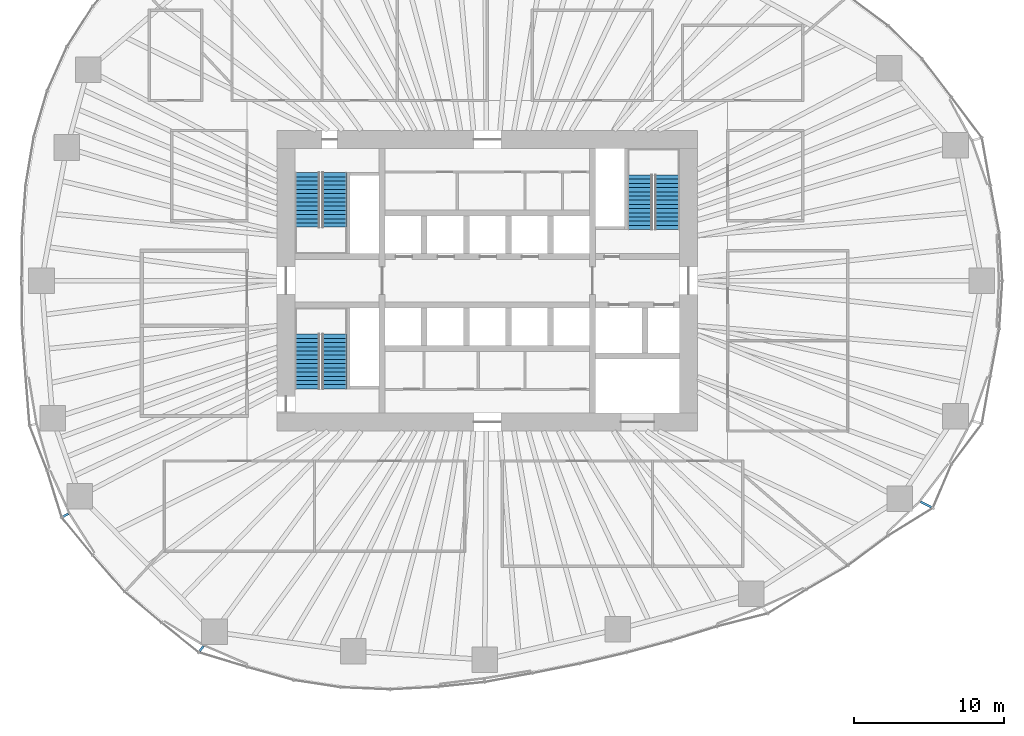
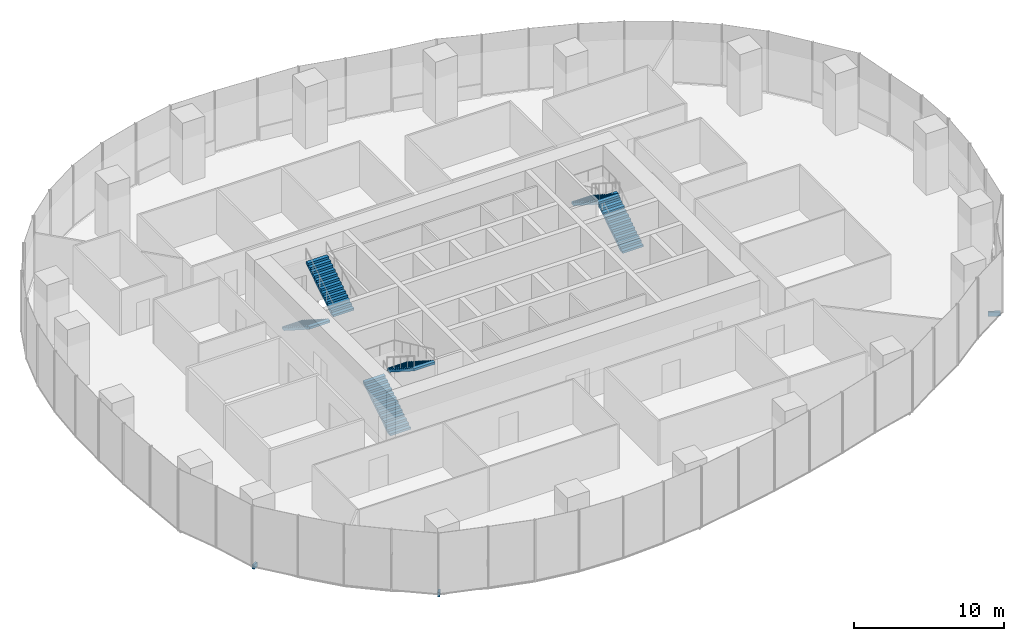
# One storey, part 12 of 20: 6 stair flights, 3 discrete accessories, 3 elements without a shape of their own.
"""IFC4 building model written with IfcOpenShell, lengths in metres."""

from ifc_helpers import new_model, si_unit, direction, frame, origin, origin_2d, place, context, subcontext, project, spatial, polyline, rectangle, outline, extrude, material, type_object, element, aggregate, save


model = new_model("IFC4")

# Units and contexts
model_context = context("Model", 3, precision=1e-05, world=origin(), true_north=direction((0.0, 1.0)))
body_context = subcontext(model_context, "Body", "Model", "MODEL_VIEW")
ifc_project = project(units=[si_unit("LENGTHUNIT", "METRE"), si_unit("AREAUNIT", "SQUARE_METRE"), si_unit("VOLUMEUNIT", "CUBIC_METRE"), si_unit("PLANEANGLEUNIT", "RADIAN"), si_unit("MASSUNIT", "GRAM", prefix="KILO")], contexts=[model_context])

# Site, building, storey
site_placement = place(None, origin())
site = spatial("IfcSite", under=ifc_project, at=site_placement, CompositionType="ELEMENT")
building_placement = place(site_placement, origin())
building = spatial("IfcBuilding", under=site, at=building_placement, Name="Ghaith Harvest Tower", CompositionType="ELEMENT")
storey_placement = place(building_placement, frame((0.0, 0.0, 80.0)))
storey = spatial("IfcBuildingStorey", under=building, at=storey_placement, Name="L16", CompositionType="ELEMENT", Elevation=80.0)

# Stair, stair flights
ifc_material_1 = material(Name="Concrete C40/50, precast", Category="concrete")
stair_type = type_object("IfcStairType", Name="CORE STAIR 28R", PredefinedType="HALF_TURN_STAIR", material=ifc_material_1)
stair_1_placement = place(storey_placement, origin())
stair_1 = element("IfcStair", 1, at=stair_1_placement, inside=storey, type_object=stair_type, Name="Stair ST1 L16", PredefinedType="HALF_TURN_STAIR")
ifc_material_2 = material(Name="Concrete C40/50, precast", Category="concrete")
stair_flight_type = type_object("IfcStairFlightType", Name="CORE FLIGHT 14R 1600", PredefinedType="STRAIGHT", material=ifc_material_2)
stair_flight_1_placement = place(storey_placement, frame((-12.0, 7.199951171875, 0.0), z_axis=(0.0, 0.0, 1.0), x_axis=(0.0, -1.0, 0.0)))
stair_flight_1 = element("IfcStairFlight", 2, at=stair_flight_1_placement, type_object=stair_flight_type, Name="ST1 flight 1", NumberOfRisers=14, NumberOfTreads=13, PredefinedType="STRAIGHT", RiserHeight=0.178571429, TreadLength=0.28, context=body_context, shape_type="SweptSolid", body=[
    extrude(outline(polyline([(0.0, 0.0), (0.0, 0.178466796875), (0.280029296875, 0.178466796875), (0.280029296875, 0.357177734375), (0.56005859375, 0.357177734375), (0.56005859375, 0.53564453125), (0.840087890625, 0.53564453125), (0.840087890625, 0.71435546875), (1.1201171875, 0.71435546875), (1.1201171875, 0.892822265625), (1.39990234375, 0.892822265625), (1.39990234375, 1.071533203125), (1.679931640625, 1.071533203125), (1.679931640625, 1.25), (1.9599609375, 1.25), (1.9599609375, 1.428466796875), (2.239990234375, 1.428466796875), (2.239990234375, 1.607177734375), (2.52001953125, 1.607177734375), (2.52001953125, 1.78564453125), (2.800048828125, 1.78564453125), (2.800048828125, 1.96435546875), (3.080078125, 1.96435546875), (3.080078125, 2.142822265625), (3.360107421875, 2.142822265625), (3.360107421875, 2.321533203125), (3.639892578125, 2.321533203125), (3.639892578125, 2.5), (3.639892578125, 2.1435546875), (0.27880859375, 0.0), (0.0, 0.0)])), frame((0.0, 0.800048828125, 0.0), z_axis=(0.0, -1.0, 0.0), x_axis=(1.0, 0.0, 0.0)), (0.0, 0.0, 1.0), 1.60009765625),
])
stair_flight_2_placement = place(storey_placement, frame((-10.14990234375, 3.56005859375, 2.5), z_axis=(0.0, 0.0, 1.0), x_axis=(0.0, 1.0, 0.0)))
stair_flight_2 = element("IfcStairFlight", 3, at=stair_flight_2_placement, type_object=stair_flight_type, Name="ST1 flight 2", NumberOfRisers=14, NumberOfTreads=13, PredefinedType="STRAIGHT", RiserHeight=0.178571429, TreadLength=0.28, context=body_context, shape_type="SweptSolid", body=[
    extrude(outline(polyline([(0.0, 0.0), (0.0, 0.178466796875), (0.280029296875, 0.178466796875), (0.280029296875, 0.357177734375), (0.56005859375, 0.357177734375), (0.56005859375, 0.53564453125), (0.840087890625, 0.53564453125), (0.840087890625, 0.71435546875), (1.1201171875, 0.71435546875), (1.1201171875, 0.892822265625), (1.39990234375, 0.892822265625), (1.39990234375, 1.071533203125), (1.679931640625, 1.071533203125), (1.679931640625, 1.25), (1.9599609375, 1.25), (1.9599609375, 1.428466796875), (2.239990234375, 1.428466796875), (2.239990234375, 1.607177734375), (2.52001953125, 1.607177734375), (2.52001953125, 1.78564453125), (2.800048828125, 1.78564453125), (2.800048828125, 1.96435546875), (3.080078125, 1.96435546875), (3.080078125, 2.142822265625), (3.360107421875, 2.142822265625), (3.360107421875, 2.321533203125), (3.639892578125, 2.321533203125), (3.639892578125, 2.5), (3.639892578125, 2.1435546875), (0.27880859375, 0.0), (0.0, 0.0)])), frame((0.0, 0.800048828125, 0.0), z_axis=(0.0, -1.0, 0.0), x_axis=(1.0, 0.0, 0.0)), (0.0, 0.0, 1.0), 1.60009765625),
])
aggregate(stair_1, [stair_flight_1, stair_flight_2])

stair_2_placement = place(storey_placement, origin())
stair_2 = element("IfcStair", 4, at=stair_2_placement, inside=storey, type_object=stair_type, Name="Stair ST3 L16", PredefinedType="HALF_TURN_STAIR")
stair_flight_3_placement = place(storey_placement, frame((-12.0, -7.199951171875, 0.0), z_axis=(0.0, 0.0, 1.0), x_axis=(0.0, 1.0, 0.0)))
stair_flight_3 = element("IfcStairFlight", 5, at=stair_flight_3_placement, type_object=stair_flight_type, Name="ST3 flight 1", NumberOfRisers=14, NumberOfTreads=13, PredefinedType="STRAIGHT", RiserHeight=0.178571429, TreadLength=0.28, context=body_context, shape_type="SweptSolid", body=[
    extrude(outline(polyline([(0.0, 0.0), (0.0, 0.178466796875), (0.280029296875, 0.178466796875), (0.280029296875, 0.357177734375), (0.56005859375, 0.357177734375), (0.56005859375, 0.53564453125), (0.840087890625, 0.53564453125), (0.840087890625, 0.71435546875), (1.1201171875, 0.71435546875), (1.1201171875, 0.892822265625), (1.39990234375, 0.892822265625), (1.39990234375, 1.071533203125), (1.679931640625, 1.071533203125), (1.679931640625, 1.25), (1.9599609375, 1.25), (1.9599609375, 1.428466796875), (2.239990234375, 1.428466796875), (2.239990234375, 1.607177734375), (2.52001953125, 1.607177734375), (2.52001953125, 1.78564453125), (2.800048828125, 1.78564453125), (2.800048828125, 1.96435546875), (3.080078125, 1.96435546875), (3.080078125, 2.142822265625), (3.360107421875, 2.142822265625), (3.360107421875, 2.321533203125), (3.639892578125, 2.321533203125), (3.639892578125, 2.5), (3.639892578125, 2.1435546875), (0.27880859375, 0.0), (0.0, 0.0)])), frame((0.0, 0.800048828125, 0.0), z_axis=(0.0, -1.0, 0.0), x_axis=(1.0, 0.0, 0.0)), (0.0, 0.0, 1.0), 1.60009765625),
])
stair_flight_4_placement = place(storey_placement, frame((-10.14990234375, -3.56005859375, 2.5), z_axis=(0.0, 0.0, 1.0), x_axis=(0.0, -1.0, 0.0)))
stair_flight_4 = element("IfcStairFlight", 6, at=stair_flight_4_placement, type_object=stair_flight_type, Name="ST3 flight 2", NumberOfRisers=14, NumberOfTreads=13, PredefinedType="STRAIGHT", RiserHeight=0.178571429, TreadLength=0.28, context=body_context, shape_type="SweptSolid", body=[
    extrude(outline(polyline([(0.0, 0.0), (0.0, 0.178466796875), (0.280029296875, 0.178466796875), (0.280029296875, 0.357177734375), (0.56005859375, 0.357177734375), (0.56005859375, 0.53564453125), (0.840087890625, 0.53564453125), (0.840087890625, 0.71435546875), (1.1201171875, 0.71435546875), (1.1201171875, 0.892822265625), (1.39990234375, 0.892822265625), (1.39990234375, 1.071533203125), (1.679931640625, 1.071533203125), (1.679931640625, 1.25), (1.9599609375, 1.25), (1.9599609375, 1.428466796875), (2.239990234375, 1.428466796875), (2.239990234375, 1.607177734375), (2.52001953125, 1.607177734375), (2.52001953125, 1.78564453125), (2.800048828125, 1.78564453125), (2.800048828125, 1.96435546875), (3.080078125, 1.96435546875), (3.080078125, 2.142822265625), (3.360107421875, 2.142822265625), (3.360107421875, 2.321533203125), (3.639892578125, 2.321533203125), (3.639892578125, 2.5), (3.639892578125, 2.1435546875), (0.27880859375, 0.0), (0.0, 0.0)])), frame((0.0, 0.800048828125, 0.0), z_axis=(0.0, -1.0, 0.0), x_axis=(1.0, 0.0, 0.0)), (0.0, 0.0, 1.0), 1.60009765625),
])
aggregate(stair_2, [stair_flight_3, stair_flight_4])

stair_3_placement = place(storey_placement, origin())
stair_3 = element("IfcStair", 7, at=stair_3_placement, inside=storey, type_object=stair_type, Name="Stair ST2 L16", PredefinedType="HALF_TURN_STAIR")
stair_flight_5_placement = place(storey_placement, frame((12.0, 3.39990234375, 0.0), z_axis=(0.0, 0.0, 1.0), x_axis=(0.0, 1.0, 0.0)))
stair_flight_5 = element("IfcStairFlight", 8, at=stair_flight_5_placement, type_object=stair_flight_type, Name="ST2 flight 1", NumberOfRisers=14, NumberOfTreads=13, PredefinedType="STRAIGHT", RiserHeight=0.178571429, TreadLength=0.28, context=body_context, shape_type="SweptSolid", body=[
    extrude(outline(polyline([(0.0, 0.0), (0.0, 0.178466796875), (0.280029296875, 0.178466796875), (0.280029296875, 0.357177734375), (0.56005859375, 0.357177734375), (0.56005859375, 0.53564453125), (0.840087890625, 0.53564453125), (0.840087890625, 0.71435546875), (1.1201171875, 0.71435546875), (1.1201171875, 0.892822265625), (1.39990234375, 0.892822265625), (1.39990234375, 1.071533203125), (1.679931640625, 1.071533203125), (1.679931640625, 1.25), (1.9599609375, 1.25), (1.9599609375, 1.428466796875), (2.239990234375, 1.428466796875), (2.239990234375, 1.607177734375), (2.52001953125, 1.607177734375), (2.52001953125, 1.78564453125), (2.800048828125, 1.78564453125), (2.800048828125, 1.96435546875), (3.080078125, 1.96435546875), (3.080078125, 2.142822265625), (3.360107421875, 2.142822265625), (3.360107421875, 2.321533203125), (3.639892578125, 2.321533203125), (3.639892578125, 2.5), (3.639892578125, 2.1435546875), (0.27880859375, 0.0), (0.0, 0.0)])), frame((0.0, 0.800048828125, 0.0), z_axis=(0.0, -1.0, 0.0), x_axis=(1.0, 0.0, 0.0)), (0.0, 0.0, 1.0), 1.60009765625),
])
stair_flight_6_placement = place(storey_placement, frame((10.14990234375, 7.0400390625, 2.5), z_axis=(0.0, 0.0, 1.0), x_axis=(0.0, -1.0, 0.0)))
stair_flight_6 = element("IfcStairFlight", 9, at=stair_flight_6_placement, type_object=stair_flight_type, Name="ST2 flight 2", NumberOfRisers=14, NumberOfTreads=13, PredefinedType="STRAIGHT", RiserHeight=0.178571429, TreadLength=0.28, context=body_context, shape_type="SweptSolid", body=[
    extrude(outline(polyline([(0.0, 0.0), (0.0, 0.178466796875), (0.280029296875, 0.178466796875), (0.280029296875, 0.357177734375), (0.56005859375, 0.357177734375), (0.56005859375, 0.53564453125), (0.840087890625, 0.53564453125), (0.840087890625, 0.71435546875), (1.1201171875, 0.71435546875), (1.1201171875, 0.892822265625), (1.39990234375, 0.892822265625), (1.39990234375, 1.071533203125), (1.679931640625, 1.071533203125), (1.679931640625, 1.25), (1.9599609375, 1.25), (1.9599609375, 1.428466796875), (2.239990234375, 1.428466796875), (2.239990234375, 1.607177734375), (2.52001953125, 1.607177734375), (2.52001953125, 1.78564453125), (2.800048828125, 1.78564453125), (2.800048828125, 1.96435546875), (3.080078125, 1.96435546875), (3.080078125, 2.142822265625), (3.360107421875, 2.142822265625), (3.360107421875, 2.321533203125), (3.639892578125, 2.321533203125), (3.639892578125, 2.5), (3.639892578125, 2.1435546875), (0.27880859375, 0.0), (0.0, 0.0)])), frame((0.0, 0.800048828125, 0.0), z_axis=(0.0, -1.0, 0.0), x_axis=(1.0, 0.0, 0.0)), (0.0, 0.0, 1.0), 1.60009765625),
])
aggregate(stair_3, [stair_flight_5, stair_flight_6])

# Discrete accessories
ifc_material_3 = material(Name="Stainless steel grade 1.4401", Category="steel")
discrete_accessory_type_1 = type_object("IfcDiscreteAccessoryType", Name="CURTAIN WALL BRACKET 415", PredefinedType="BRACKET", material=ifc_material_3)
discrete_accessory_1_placement = place(storey_placement, frame((-28.05859375, -15.60546875, -0.25), z_axis=(0.0, 0.0, 1.0), x_axis=(-0.873926916099, -0.486057347767, 0.0)))
element("IfcDiscreteAccessory", 10, at=discrete_accessory_1_placement, inside=storey, type_object=discrete_accessory_type_1, Name="CW-F bracket 3 bay 12 L16", PredefinedType="BRACKET", context=body_context, shape_type="SweptSolid", body=[
    extrude(rectangle(XDim=0.4150390625, YDim=0.14990234375, at=origin_2d()), origin(), (0.0, 0.0, 1.0), 0.35009765625),
])
ifc_material_4 = material(Name="Stainless steel grade 1.4401", Category="steel")
discrete_accessory_type_2 = type_object("IfcDiscreteAccessoryType", Name="CURTAIN WALL BRACKET 425", PredefinedType="BRACKET", material=ifc_material_4)
discrete_accessory_2_placement = place(storey_placement, frame((-19.02099609375, -24.491455078125, -0.25), z_axis=(0.0, 0.0, 1.0), x_axis=(-0.613377713774, -0.789789706343, 0.0)))
element("IfcDiscreteAccessory", 11, at=discrete_accessory_2_placement, inside=storey, type_object=discrete_accessory_type_2, Name="CW-F bracket 1 bay 14 L16", PredefinedType="BRACKET", context=body_context, shape_type="SweptSolid", body=[
    extrude(rectangle(XDim=0.425048828125, YDim=0.14990234375, at=origin_2d()), origin(), (0.0, 0.0, 1.0), 0.35009765625),
])
ifc_material_5 = material(Name="Stainless steel grade 1.4401", Category="steel")
discrete_accessory_type_3 = type_object("IfcDiscreteAccessoryType", Name="CURTAIN WALL BRACKET 825", PredefinedType="BRACKET", material=ifc_material_5)
discrete_accessory_3_placement = place(storey_placement, frame((29.203125, -14.89404296875, -0.25), z_axis=(0.0, 0.0, 1.0), x_axis=(0.890830752177, -0.454335306767, 0.0)))
element("IfcDiscreteAccessory", 12, at=discrete_accessory_3_placement, inside=storey, type_object=discrete_accessory_type_3, Name="CW-F bracket 2 bay 19 L16", PredefinedType="BRACKET", context=body_context, shape_type="SweptSolid", body=[
    extrude(rectangle(XDim=0.824951171875, YDim=0.14990234375, at=origin_2d()), origin(), (0.0, 0.0, 1.0), 0.35009765625),
])

save(model, "model.ifc")
